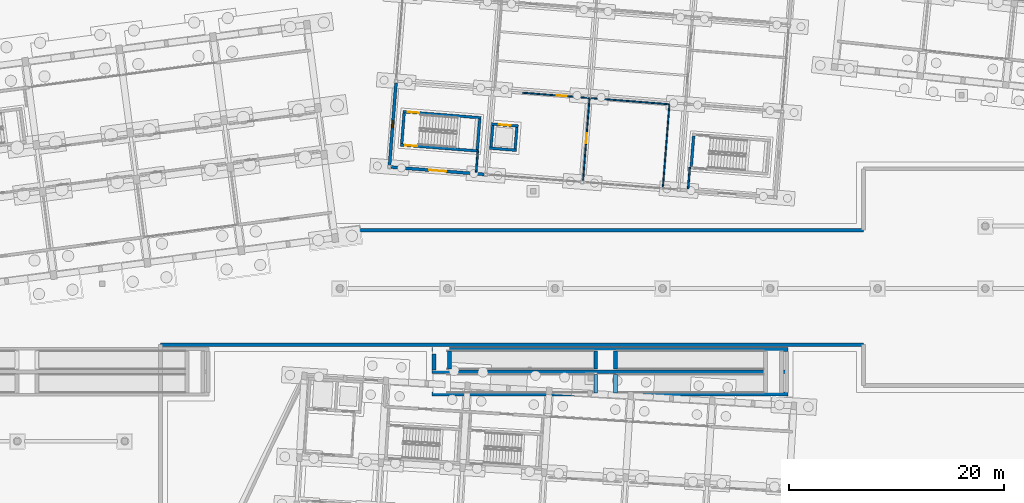
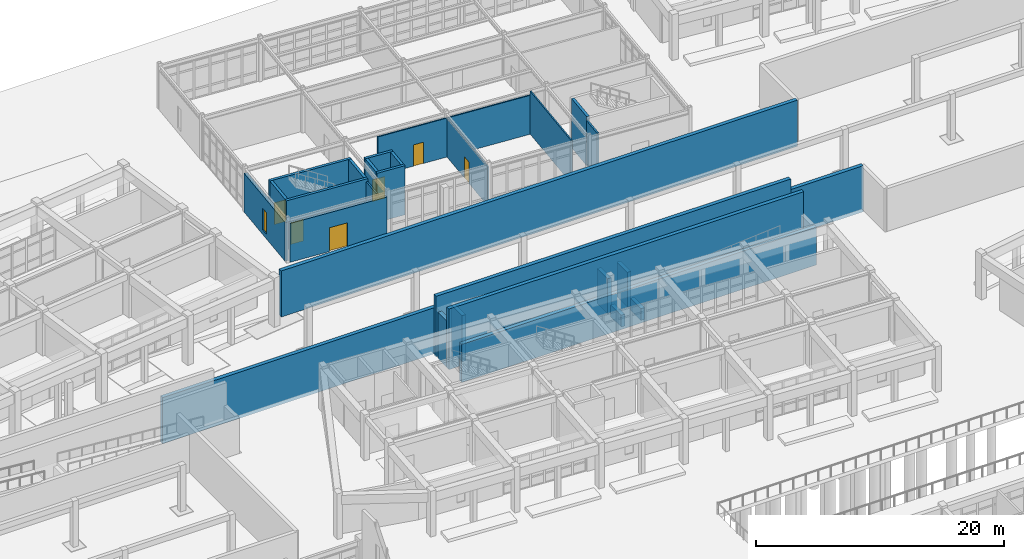
# One storey, part 125 of 154: 27 walls, 6 doors, 1 window, 7 openings.
"""IFC4 building model written with IfcOpenShell, lengths in metres."""

from ifc_helpers import new_model, si_unit, direction, frame, frame_2d, origin, place, context, subcontext, project, spatial, rectangle, extrude, material, layer, layer_set, type_object, element, fill, save


model = new_model("IFC4")

# Units and contexts
model_context = context("Model", 3, precision=1e-05, world=origin(), true_north=direction((0.0, 1.0)))
body_context = subcontext(model_context, "Body", "Model", "MODEL_VIEW")
ifc_project = project(units=[si_unit("LENGTHUNIT", "METRE"), si_unit("AREAUNIT", "SQUARE_METRE"), si_unit("VOLUMEUNIT", "CUBIC_METRE"), si_unit("PLANEANGLEUNIT", "RADIAN"), si_unit("MASSUNIT", "GRAM", prefix="KILO")], contexts=[model_context])

# Site, building, storey
site_placement = place(None, origin())
site = spatial("IfcSite", under=ifc_project, at=site_placement, CompositionType="ELEMENT")
building_placement = place(site_placement, origin())
building = spatial("IfcBuilding", under=site, at=building_placement, Name="Kestramere Prow Commons", CompositionType="ELEMENT")
storey_placement = place(building_placement, origin())
storey = spatial("IfcBuildingStorey", under=building, at=storey_placement, Name="L00", CompositionType="ELEMENT", Elevation=0.0)

# Wall, opening, door
ifc_material_1 = material(Name="Precast concrete C40/50", Category="concrete")
ifc_layer_1 = layer(ifc_material_1, 0.280029296875)
ifc_layer_set_1 = layer_set([ifc_layer_1], Name="Precast concrete C40/50")
wall_type_1 = type_object("IfcWallType", Name="EW-CIVIC-280", PredefinedType="SOLIDWALL", material=ifc_layer_set_1)
wall_1_placement = place(storey_placement, frame((77.422607421875, 84.8056640625, 0.0), z_axis=(0.0, 0.0, 1.0), x_axis=(-0.996917066238, 0.078462494502, 0.0)))
wall_1 = element("IfcWall", 1, at=wall_1_placement, inside=storey, type_object=wall_type_1, Name="Nursery L00 South Wall 1", PredefinedType="SOLIDWALL", context=body_context, shape_type="SweptSolid", body=[
    extrude(rectangle(XDim=8.699951171875, YDim=0.280029296875, at=frame_2d((4.35009765625, 0.0))), origin(), (0.0, 0.0, 1.0), 3.830078125),
])
opening_1_placement = place(wall_1_placement, frame((3.550048828125, 0.0, 0.0)))
opening_1 = element("IfcOpeningElement", 2, at=opening_1_placement, cuts=wall_1, Name="Opening ED-02", PredefinedType="OPENING", context=body_context, shape_type="SweptSolid", body=[
    extrude(rectangle(XDim=1.60009765625, YDim=2.35009765625, at=frame_2d((0.800048828125, 1.175048828125))), frame((0.0, 0.155029296875, 0.0), z_axis=(0.0, -1.0, 0.0), x_axis=(1.0, 0.0, 0.0)), (0.0, 0.0, 1.0), 0.31005859375),
])
ifc_material_2 = material(Name="Thermally-Broken Anodised Aluminium Glazed", Category="aluminium")
door_type_1 = type_object("IfcDoorType", Name="ED-LOBBY-1600", OperationType="DOUBLE_DOOR_SINGLE_SWING", PredefinedType="DOOR", material=ifc_material_2)
door_1_placement = place(opening_1_placement, origin())
door_1 = element("IfcDoor", 3, at=door_1_placement, inside=storey, type_object=door_type_1, Name="Nursery Entrance Door 1", OperationType="DOUBLE_DOOR_SINGLE_SWING", OverallHeight=2.35009765625, OverallWidth=1.60009765625, PredefinedType="DOOR", context=body_context, shape_type="SweptSolid", body=[
    extrude(rectangle(XDim=1.60009765625, YDim=2.35009765625, at=frame_2d((0.800048828125, 1.175048828125))), frame((0.0, 0.02490234375, 0.0), z_axis=(0.0, -1.0, 0.0), x_axis=(1.0, 0.0, 0.0)), (0.0, 0.0, 1.0), 0.050048828125),
])
fill(opening_1, door_1)

# Wall, opening, window
wall_2_placement = place(storey_placement, frame((68.61181640625, 85.649658203125, 0.0), z_axis=(0.0, 0.0, 1.0), x_axis=(0.078444588533, 0.996918475368, 0.0)))
wall_2 = element("IfcWall", 4, at=wall_2_placement, inside=storey, type_object=wall_type_1, Name="Nursery L00 W Wall 1", PredefinedType="SOLIDWALL", context=body_context, shape_type="SweptSolid", body=[
    extrude(rectangle(XDim=7.69970703125, YDim=0.280029296875, at=frame_2d((3.849853515625, 0.0))), origin(), (0.0, 0.0, 1.0), 3.830078125),
])
opening_2_placement = place(wall_2_placement, frame((3.5, 0.0, 0.449951171875)))
opening_2 = element("IfcOpeningElement", 5, at=opening_2_placement, cuts=wall_2, Name="Opening WN-16", PredefinedType="OPENING", context=body_context, shape_type="SweptSolid", body=[
    extrude(rectangle(XDim=0.699951171875, YDim=2.139892578125, at=frame_2d((0.35009765625, 1.06982421875))), frame((0.0, 0.155029296875, 0.0), z_axis=(0.0, -1.0, 0.0), x_axis=(1.0, 0.0, 0.0)), (0.0, 0.0, 1.0), 0.31005859375),
])
ifc_material_3 = material(Name="Low-E Laminated Double Glazing", Category="glass")
window_type = type_object("IfcWindowType", Name="WN-CIV-700", PartitioningType="SINGLE_PANEL", PredefinedType="WINDOW", material=ifc_material_3)
window_placement = place(opening_2_placement, origin())
window = element("IfcWindow", 6, at=window_placement, inside=storey, type_object=window_type, Name="WN-NR-L00-W-0", OverallHeight=2.139892578125, OverallWidth=0.699951171875, PartitioningType="SINGLE_PANEL", PredefinedType="WINDOW", context=body_context, shape_type="SweptSolid", body=[
    extrude(rectangle(XDim=0.699951171875, YDim=2.139892578125, at=frame_2d((0.35009765625, 1.06982421875))), frame((0.0, 0.030029296875, 0.0), z_axis=(0.0, -1.0, 0.0), x_axis=(1.0, 0.0, 0.0)), (0.0, 0.0, 1.0), 0.06005859375),
])
fill(opening_2, window)

# Wall, opening, door
ifc_material_4 = material(Name="Concrete C40/50", Category="concrete")
ifc_layer_2 = layer(ifc_material_4, 0.25)
ifc_layer_set_2 = layer_set([ifc_layer_2], Name="Concrete C40/50")
wall_type_2 = type_object("IfcWallType", Name="W-CORE-250", PredefinedType="SHEAR", material=ifc_layer_set_2)
wall_3_placement = place(storey_placement, frame((69.857421875, 90.64208984375, -0.35009765625), z_axis=(0.0, 0.0, 1.0), x_axis=(0.996917178022, -0.078461074196, 0.0)))
wall_3 = element("IfcWall", 7, at=wall_3_placement, inside=storey, type_object=wall_type_2, Name="SW-ST-N1-L00-N", PredefinedType="SHEAR", context=body_context, shape_type="SweptSolid", body=[
    extrude(rectangle(XDim=7.2998046875, YDim=0.25, at=frame_2d((3.64990234375, 0.0))), origin(), (0.0, 0.0, 1.0), 4.85009765625),
])
opening_3_placement = place(wall_3_placement, frame((0.449951171875, 0.0, 0.35009765625)))
opening_3 = element("IfcOpeningElement", 8, at=opening_3_placement, cuts=wall_3, Name="Opening ID-01", PredefinedType="OPENING", context=body_context, shape_type="SweptSolid", body=[
    extrude(rectangle(XDim=1.050048828125, YDim=2.14990234375, at=frame_2d((0.52490234375, 1.074951171875))), frame((0.0, 0.139892578125, 0.0), z_axis=(0.0, -1.0, 0.0), x_axis=(1.0, 0.0, 0.0)), (0.0, 0.0, 1.0), 0.280029296875),
])
ifc_material_5 = material(Name="Fire-Rated Timber and Steel Frame", Category="steel")
door_type_2 = type_object("IfcDoorType", Name="FD-ST-01", OperationType="NOTDEFINED", PredefinedType="DOOR", material=ifc_material_5)
door_2_placement = place(opening_3_placement, origin())
door_2 = element("IfcDoor", 9, at=door_2_placement, inside=storey, type_object=door_type_2, Name="ST-N1 L00 Protected Stair Door", OperationType="SINGLE_SWING_LEFT", OverallHeight=2.14990234375, OverallWidth=1.050048828125, PredefinedType="DOOR", context=body_context, shape_type="SweptSolid", body=[
    extrude(rectangle(XDim=1.050048828125, YDim=2.14990234375, at=frame_2d((0.52490234375, 1.074951171875))), frame((0.0, 0.02490234375, 0.0), z_axis=(0.0, -1.0, 0.0), x_axis=(1.0, 0.0, 0.0)), (0.0, 0.0, 1.0), 0.050048828125),
])
fill(opening_3, door_2)

wall_4_placement = place(storey_placement, frame((69.614013671875, 87.5517578125, -0.35009765625), z_axis=(0.0, 0.0, 1.0), x_axis=(0.996917383902, -0.078458458272, 0.0)))
wall_4 = element("IfcWall", 10, at=wall_4_placement, inside=storey, type_object=wall_type_2, Name="SW-ST-N1-L00-S", PredefinedType="SHEAR", context=body_context, shape_type="SweptSolid", body=[
    extrude(rectangle(XDim=7.300048828125, YDim=0.25, at=frame_2d((3.64990234375, 0.0))), origin(), (0.0, 0.0, 1.0), 4.85009765625),
])
opening_4_placement = place(wall_4_placement, frame((0.449951171875, 0.0, 0.35009765625)))
opening_4 = element("IfcOpeningElement", 11, at=opening_4_placement, cuts=wall_4, Name="Opening ID-02", PredefinedType="OPENING", context=body_context, shape_type="SweptSolid", body=[
    extrude(rectangle(XDim=1.1201171875, YDim=2.14990234375, at=frame_2d((0.56005859375, 1.074951171875))), frame((0.0, 0.139892578125, 0.0), z_axis=(0.0, -1.0, 0.0), x_axis=(1.0, 0.0, 0.0)), (0.0, 0.0, 1.0), 0.280029296875),
])
door_type_3 = type_object("IfcDoorType", Name="FD-ST-02", OperationType="NOTDEFINED", PredefinedType="DOOR", material=ifc_material_5)
door_3_placement = place(opening_4_placement, origin())
door_3 = element("IfcDoor", 12, at=door_3_placement, inside=storey, type_object=door_type_3, Name="ST-N1 L00 Lobby/Exit Stair Door", OperationType="SINGLE_SWING_RIGHT", OverallHeight=2.14990234375, OverallWidth=1.1201171875, PredefinedType="DOOR", context=body_context, shape_type="SweptSolid", body=[
    extrude(rectangle(XDim=1.1201171875, YDim=2.14990234375, at=frame_2d((0.56005859375, 1.074951171875))), frame((0.0, 0.02490234375, 0.0), z_axis=(0.0, -1.0, 0.0), x_axis=(1.0, 0.0, 0.0)), (0.0, 0.0, 1.0), 0.050048828125),
])
fill(opening_4, door_3)

# Walls
wall_5_placement = place(storey_placement, frame((69.74853515625, 87.66650390625, -0.35009765625), z_axis=(0.0, 0.0, 1.0), x_axis=(0.078465015546, 0.996916867816, 0.0)))
element("IfcWall", 13, at=wall_5_placement, inside=storey, type_object=wall_type_2, Name="SW-ST-N1-L00-W", PredefinedType="SHEAR", context=body_context, shape_type="SweptSolid", body=[
    extrude(rectangle(XDim=2.85009765625, YDim=0.25, at=frame_2d((1.425048828125, 0.0))), origin(), (0.0, 0.0, 1.0), 4.85009765625),
])
wall_6_placement = place(storey_placement, frame((76.77685546875, 87.113525390625, -0.35009765625), z_axis=(0.0, 0.0, 1.0), x_axis=(0.078471716745, 0.996916340357, 0.0)))
element("IfcWall", 14, at=wall_6_placement, inside=storey, type_object=wall_type_2, Name="SW-ST-N1-L00-E", PredefinedType="SHEAR", context=body_context, shape_type="SweptSolid", body=[
    extrude(rectangle(XDim=2.849853515625, YDim=0.25, at=frame_2d((1.4248046875, 0.0))), origin(), (0.0, 0.0, 1.0), 4.85009765625),
])
wall_7_placement = place(storey_placement, frame((96.665283203125, 85.548095703125, -0.35009765625), z_axis=(0.0, 0.0, 1.0), x_axis=(0.078465015546, 0.996916867816, 0.0)))
element("IfcWall", 15, at=wall_7_placement, inside=storey, type_object=wall_type_2, Name="SW-ST-N2-L00-W", PredefinedType="SHEAR", context=body_context, shape_type="SweptSolid", body=[
    extrude(rectangle(XDim=2.85009765625, YDim=0.25, at=frame_2d((1.425048828125, 0.0))), origin(), (0.0, 0.0, 1.0), 4.85009765625),
])

# Wall, opening, door
wall_8_placement = place(storey_placement, frame((78.092529296875, 89.492431640625, -0.35009765625), z_axis=(0.0, 0.0, 1.0), x_axis=(0.996920289399, -0.078421531386, 0.0)))
wall_8 = element("IfcWall", 16, at=wall_8_placement, inside=storey, type_object=wall_type_2, Name="CW-PLN1-L00-N", PredefinedType="SHEAR", context=body_context, shape_type="SweptSolid", body=[
    extrude(rectangle(XDim=2.5, YDim=0.25, at=frame_2d((1.25, 0.0))), origin(), (0.0, 0.0, 1.0), 4.85009765625),
])
opening_5_placement = place(wall_8_placement, frame((0.699951171875, 0.0, 0.35009765625)))
opening_5 = element("IfcOpeningElement", 17, at=opening_5_placement, cuts=wall_8, Name="Opening LD-01", PredefinedType="OPENING", context=body_context, shape_type="SweptSolid", body=[
    extrude(rectangle(XDim=1.10009765625, YDim=2.14990234375, at=frame_2d((0.550048828125, 1.074951171875))), frame((0.0, 0.139892578125, 0.0), z_axis=(0.0, -1.0, 0.0), x_axis=(1.0, 0.0, 0.0)), (0.0, 0.0, 1.0), 0.280029296875),
])
ifc_material_6 = material(Name="Brushed Stainless Steel 304", Category="steel")
door_type_4 = type_object("IfcDoorType", Name="LD-01", OperationType="DOUBLE_DOOR_SLIDING", PredefinedType="DOOR", material=ifc_material_6)
door_4_placement = place(opening_5_placement, origin())
door_4 = element("IfcDoor", 18, at=door_4_placement, inside=storey, type_object=door_type_4, Name="PL-N1 L00 Lift Landing Door", OperationType="DOUBLE_DOOR_SLIDING", OverallHeight=2.14990234375, OverallWidth=1.10009765625, PredefinedType="DOOR", context=body_context, shape_type="SweptSolid", body=[
    extrude(rectangle(XDim=1.10009765625, YDim=2.14990234375, at=frame_2d((0.550048828125, 1.074951171875))), frame((0.0, 0.02490234375, 0.0), z_axis=(0.0, -1.0, 0.0), x_axis=(1.0, 0.0, 0.0)), (0.0, 0.0, 1.0), 0.050048828125),
])
fill(opening_5, door_4)

# Walls
wall_9_placement = place(storey_placement, frame((77.916015625, 87.24951171875, -0.35009765625), z_axis=(0.0, 0.0, 1.0), x_axis=(0.996912649619, -0.07851859035, 0.0)))
element("IfcWall", 19, at=wall_9_placement, inside=storey, type_object=wall_type_2, Name="CW-PLN1-L00-S", PredefinedType="SHEAR", context=body_context, shape_type="SweptSolid", body=[
    extrude(rectangle(XDim=2.5, YDim=0.25, at=frame_2d((1.25, 0.0))), origin(), (0.0, 0.0, 1.0), 4.85009765625),
])
for number, where, z_axis, x_axis, name in (
    (20, (78.05029296875, 87.3642578125, -0.35009765625), (0.0, 0.0, 1.0), (0.07848859465, 0.996915011678, 0.0), "CW-PLN1-L00-W"),
    (21, (80.29345703125, 87.187744140625, -0.35009765625), (0.0, 0.0, 1.0), (0.07848859465, 0.996915011678, 0.0), "CW-PLN1-L00-E"),
):
    element("IfcWall", number, at=place(storey_placement, frame(where, z_axis=z_axis, x_axis=x_axis)), inside=storey, type_object=wall_type_2, Name=name, PredefinedType="SHEAR", context=body_context, shape_type="SweptSolid", body=[
        extrude(rectangle(XDim=2.0, YDim=0.25, at=frame_2d((1.0, 0.0))), origin(), (0.0, 0.0, 1.0), 4.85009765625),
    ])
ifc_material_7 = material(Name="Fire-Rated Calcium Silicate Wall")
ifc_layer_3 = layer(ifc_material_7, 0.155029296875)
ifc_layer_set_3 = layer_set([ifc_layer_3], Name="Fire-Rated Calcium Silicate Wall")
wall_type_3 = type_object("IfcWallType", Name="W-FIRE-150", PredefinedType="PARTITIONING", material=ifc_layer_set_3)
for number, where, z_axis, x_axis, name in (
    (22, (76.666748046875, 85.015625, 0.0), (0.0, 0.0, 1.0), (0.07848859465, 0.996915011678, 0.0), "Interior Partition PW-NR-L00-VEST1-E"),
    (23, (96.3759765625, 83.46435546875, 0.0), (0.0, 0.0, 1.0), (0.078367278648, 0.99692455564, 0.0), "Interior Partition PW-NR-L00-VEST2-W"),
):
    element("IfcWall", number, at=place(storey_placement, frame(where, z_axis=z_axis, x_axis=x_axis)), inside=storey, type_object=wall_type_3, Name=name, PredefinedType="PARTITIONING", context=body_context, shape_type="SweptSolid", body=[
        extrude(rectangle(XDim=2.0, YDim=0.155029296875, at=frame_2d((1.0, 0.0))), origin(), (0.0, 0.0, 1.0), 4.22998046875),
    ])

# Wall, opening, door
ifc_material_8 = material(Name="Lightweight Blockwork and Plaster", Category="masonry")
ifc_layer_4 = layer(ifc_material_8, 0.1201171875)
ifc_layer_set_4 = layer_set([ifc_layer_4], Name="Lightweight Blockwork and Plaster")
wall_type_4 = type_object("IfcWallType", Name="W-PART-120", PredefinedType="PARTITIONING", material=ifc_layer_set_4)
wall_10_placement = place(storey_placement, frame((80.9794921875, 92.39990234375, 0.0), z_axis=(0.0, 0.0, 1.0), x_axis=(0.996918352409, -0.078446151144, 0.0)))
wall_10 = element("IfcWall", 24, at=wall_10_placement, inside=storey, type_object=wall_type_4, Name="Interior Partition PW-NR-L00-CS", PredefinedType="PARTITIONING", context=body_context, shape_type="SweptSolid", body=[
    extrude(rectangle(XDim=13.699951171875, YDim=0.1201171875, at=frame_2d((6.85009765625, 0.0))), origin(), (0.0, 0.0, 1.0), 3.843505859375),
])
opening_6_placement = place(wall_10_placement, frame((3.199951171875, 0.0, 0.0)))
opening_6 = element("IfcOpeningElement", 25, at=opening_6_placement, cuts=wall_10, Name="Opening ID-08", PredefinedType="OPENING", context=body_context, shape_type="SweptSolid", body=[
    extrude(rectangle(XDim=0.89990234375, YDim=2.10009765625, at=frame_2d((0.449951171875, 1.050048828125))), frame((0.0, 0.074951171875, 0.0), z_axis=(0.0, -1.0, 0.0), x_axis=(1.0, 0.0, 0.0)), (0.0, 0.0, 1.0), 0.150146484375),
])
ifc_material_9 = material(Name="Engineered Timber Flush Door", Category="wood")
door_type_5 = type_object("IfcDoorType", Name="D-RM-01", OperationType="NOTDEFINED", PredefinedType="DOOR", material=ifc_material_9)
door_5_placement = place(opening_6_placement, origin())
door_5 = element("IfcDoor", 26, at=door_5_placement, inside=storey, type_object=door_type_5, Name="Interior Door DR-NR-L00-S1", OperationType="SINGLE_SWING_LEFT", OverallHeight=2.10009765625, OverallWidth=0.89990234375, PredefinedType="DOOR", context=body_context, shape_type="SweptSolid", body=[
    extrude(rectangle(XDim=0.89990234375, YDim=2.10009765625, at=frame_2d((0.449951171875, 1.050048828125))), frame((0.0, 0.02490234375, 0.0), z_axis=(0.0, -1.0, 0.0), x_axis=(1.0, 0.0, 0.0)), (0.0, 0.0, 1.0), 0.050048828125),
])
fill(opening_6, door_5)

# Wall
wall_11_placement = place(storey_placement, frame((94.033203125, 83.64892578125, 0.0), z_axis=(0.0, 0.0, 1.0), x_axis=(0.078442108986, 0.996918670473, 0.0)))
element("IfcWall", 27, at=wall_11_placement, inside=storey, type_object=wall_type_4, Name="Interior Partition PW-NR-L00-ESTE", PredefinedType="PARTITIONING", context=body_context, shape_type="SweptSolid", body=[
    extrude(rectangle(XDim=7.699951171875, YDim=0.1201171875, at=frame_2d((3.85009765625, 0.0))), origin(), (0.0, 0.0, 1.0), 4.22998046875),
])

# Wall, opening, door
wall_12_placement = place(storey_placement, frame((86.606201171875, 84.2333984375, 0.0), z_axis=(0.0, 0.0, 1.0), x_axis=(0.078442108986, 0.996918670473, 0.0)))
wall_12 = element("IfcWall", 28, at=wall_12_placement, inside=storey, type_object=wall_type_4, Name="Interior Partition PW-NR-L00-DIVS", PredefinedType="PARTITIONING", context=body_context, shape_type="SweptSolid", body=[
    extrude(rectangle(XDim=7.699951171875, YDim=0.1201171875, at=frame_2d((3.85009765625, 0.0))), origin(), (0.0, 0.0, 1.0), 3.843505859375),
])
opening_7_placement = place(wall_12_placement, frame((3.5, 0.0, 0.0)))
opening_7 = element("IfcOpeningElement", 29, at=opening_7_placement, cuts=wall_12, Name="Opening ID-08", PredefinedType="OPENING", context=body_context, shape_type="SweptSolid", body=[
    extrude(rectangle(XDim=0.89990234375, YDim=2.10009765625, at=frame_2d((0.449951171875, 1.050048828125))), frame((0.0, 0.074951171875, 0.0), z_axis=(0.0, -1.0, 0.0), x_axis=(1.0, 0.0, 0.0)), (0.0, 0.0, 1.0), 0.150146484375),
])
door_6_placement = place(opening_7_placement, origin())
door_6 = element("IfcDoor", 30, at=door_6_placement, inside=storey, type_object=door_type_5, Name="Interior Door DR-NR-L00-MILK", OperationType="SINGLE_SWING_LEFT", OverallHeight=2.10009765625, OverallWidth=0.89990234375, PredefinedType="DOOR", context=body_context, shape_type="SweptSolid", body=[
    extrude(rectangle(XDim=0.89990234375, YDim=2.10009765625, at=frame_2d((0.449951171875, 1.050048828125))), frame((0.0, 0.02490234375, 0.0), z_axis=(0.0, -1.0, 0.0), x_axis=(1.0, 0.0, 0.0)), (0.0, 0.0, 1.0), 0.050048828125),
])
fill(opening_7, door_6)

# Walls
ifc_material_10 = material(Name="Pigmented Charcoal Concrete C35/45", Category="concrete")
ifc_layer_5 = layer(ifc_material_10, 0.35009765625)
ifc_layer_set_5 = layer_set([ifc_layer_5], Name="Pigmented Charcoal Concrete C35/45")
wall_type_5 = type_object("IfcWallType", Name="W-RET-350", PredefinedType="USERDEFINED", material=ifc_layer_set_5)
wall_13_placement = place(storey_placement, frame((64.541015625, 79.625, -0.35009765625), z_axis=(0.0, 0.0, 1.0), x_axis=(1.0, 0.0, 0.0)))
element("IfcWall", 31, at=wall_13_placement, inside=storey, type_object=wall_type_5, Name="Raised Hillside Courtyard Retaining Wall 3", ObjectType="RETAINING WALL", PredefinedType="USERDEFINED", context=body_context, shape_type="SweptSolid", body=[
    extrude(rectangle(XDim=48.134033203125, YDim=0.35009765625, at=frame_2d((24.06689453125, 0.0))), origin(), (0.0, 0.0, 1.0), 4.550048828125),
])
wall_14_placement = place(storey_placement, frame((112.675048828125, 68.97509765625, -0.35009765625), z_axis=(0.0, 0.0, 1.0), x_axis=(-1.0, 0.0, 0.0)))
element("IfcWall", 32, at=wall_14_placement, inside=storey, type_object=wall_type_5, Name="Raised Hillside Courtyard Retaining Wall 9", ObjectType="RETAINING WALL", PredefinedType="USERDEFINED", context=body_context, shape_type="SweptSolid", body=[
    extrude(rectangle(XDim=65.35009765625, YDim=0.35009765625, at=frame_2d((32.675048828125, 0.0))), origin(), (0.0, 0.0, 1.0), 4.550048828125),
])
wall_15_placement = place(storey_placement, frame((72.550048828125, 64.3798828125, -0.35009765625), z_axis=(0.0, 0.0, 1.0), x_axis=(1.0, 0.0, 0.0)))
element("IfcWall", 33, at=wall_15_placement, inside=storey, type_object=wall_type_5, Name="Hillside Ramp E Retaining Cheek Wall 1", ObjectType="RETAINING WALL", PredefinedType="USERDEFINED", context=body_context, shape_type="SweptSolid", body=[
    extrude(rectangle(XDim=33.099853515625, YDim=0.35009765625, at=frame_2d((16.5498046875, 0.0))), origin(), (0.0, 0.0, 1.0), 3.75),
])
for number, where, z_axis, x_axis, name in (
    (34, (72.550048828125, 66.449951171875, -0.35009765625), (0.0, 0.0, 1.0), (1.0, 0.0, 0.0), "Hillside Ramp E Retaining Cheek Wall 2"),
    (35, (72.550048828125, 68.52001953125, -0.35009765625), (0.0, 0.0, 1.0), (1.0, 0.0, 0.0), "Hillside Ramp E Retaining Cheek Wall 3"),
):
    element("IfcWall", number, at=place(storey_placement, frame(where, z_axis=z_axis, x_axis=x_axis)), inside=storey, type_object=wall_type_5, Name=name, ObjectType="RETAINING WALL", PredefinedType="USERDEFINED", context=body_context, shape_type="SweptSolid", body=[
        extrude(rectangle(XDim=33.099853515625, YDim=0.35009765625, at=frame_2d((16.5498046875, 0.0))), origin(), (0.0, 0.0, 1.0), 5.97021484375),
    ])
for number, where, z_axis, x_axis, name in (
    (36, (87.780029296875, 64.5, -0.35009765625), (0.0, 0.0, 1.0), (0.0, 1.0, 0.0), "Hillside Ramp E Bearing Stem Wall LM0"),
    (37, (89.6201171875, 64.5, -0.35009765625), (0.0, 0.0, 1.0), (0.0, 1.0, 0.0), "Hillside Ramp E Bearing Stem Wall LM1"),
):
    element("IfcWall", number, at=place(storey_placement, frame(where, z_axis=z_axis, x_axis=x_axis)), inside=storey, type_object=wall_type_5, Name=name, ObjectType="RETAINING WALL", PredefinedType="USERDEFINED", context=body_context, shape_type="SweptSolid", body=[
        extrude(rectangle(XDim=1.699951171875, YDim=0.35009765625, at=frame_2d((0.85009765625, 0.0))), origin(), (0.0, 0.0, 1.0), 1.175048828125),
    ])
for number, where, z_axis, x_axis, name in (
    (38, (89.6201171875, 66.699951171875, -0.35009765625), (0.0, 0.0, 1.0), (0.0, 1.0, 0.0), "Hillside Ramp E Bearing Stem Wall UM0"),
    (39, (87.780029296875, 66.699951171875, -0.35009765625), (0.0, 0.0, 1.0), (0.0, 1.0, 0.0), "Hillside Ramp E Bearing Stem Wall UM1"),
):
    element("IfcWall", number, at=place(storey_placement, frame(where, z_axis=z_axis, x_axis=x_axis)), inside=storey, type_object=wall_type_5, Name=name, ObjectType="RETAINING WALL", PredefinedType="USERDEFINED", context=body_context, shape_type="SweptSolid", body=[
        extrude(rectangle(XDim=1.699951171875, YDim=0.35009765625, at=frame_2d((0.85009765625, 0.0))), origin(), (0.0, 0.0, 1.0), 3.425048828125),
    ])
wall_16_placement = place(storey_placement, frame((74.199951171875, 66.699951171875, -0.35009765625), z_axis=(0.0, 0.0, 1.0), x_axis=(0.0, 1.0, 0.0)))
element("IfcWall", 40, at=wall_16_placement, inside=storey, type_object=wall_type_5, Name="Hillside Ramp E Bearing Stem Wall TOP", ObjectType="RETAINING WALL", PredefinedType="USERDEFINED", context=body_context, shape_type="SweptSolid", body=[
    extrude(rectangle(XDim=1.699951171875, YDim=0.35009765625, at=frame_2d((0.85009765625, 0.0))), origin(), (0.0, 0.0, 1.0), 4.550048828125),
])
wall_17_placement = place(storey_placement, frame((72.75, 66.60009765625, -0.35009765625), z_axis=(0.0, 0.0, 1.0), x_axis=(0.0, 1.0, 0.0)))
element("IfcWall", 41, at=wall_17_placement, inside=storey, type_object=wall_type_5, Name="Central Ramp Arrival Wall 1", ObjectType="RETAINING WALL", PredefinedType="USERDEFINED", context=body_context, shape_type="SweptSolid", body=[
    extrude(rectangle(XDim=1.5, YDim=0.35009765625, at=frame_2d((0.75, 0.0))), origin(), (0.0, 0.0, 1.0), 4.550048828125),
])

save(model, "model.ifc")
